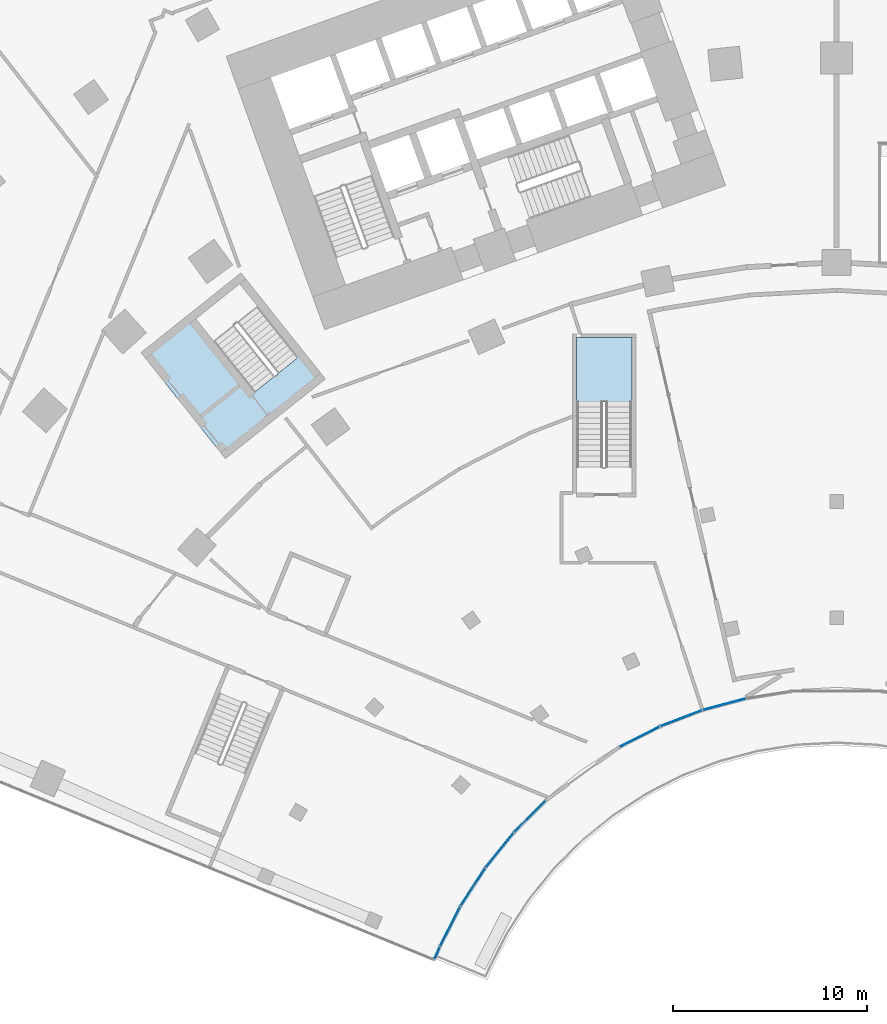
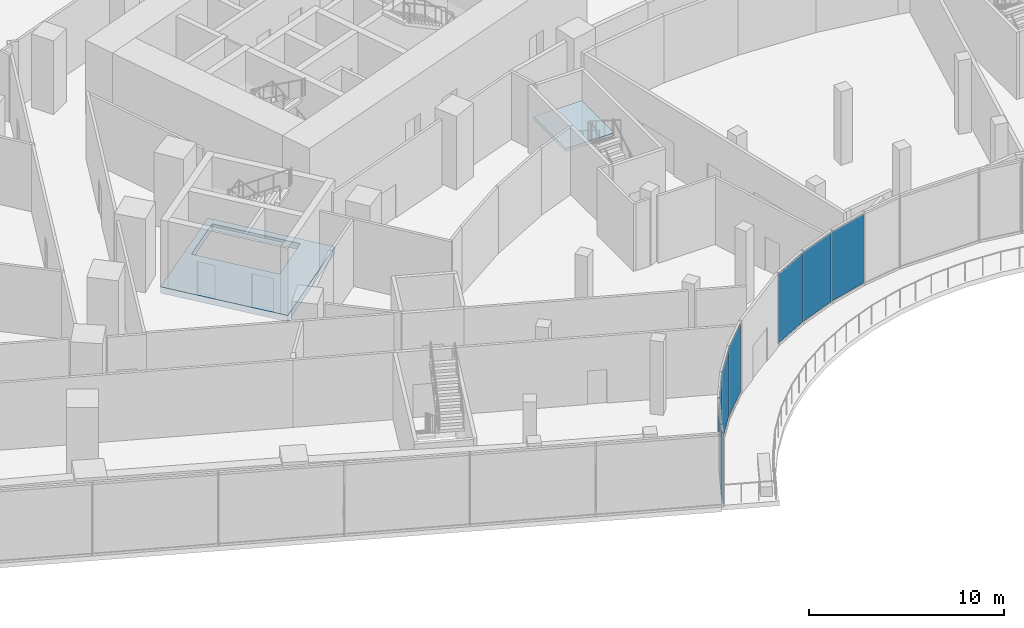
# One storey, part 17 of 40: 8 plates, 2 slabs, 2 elements without a shape of their own.
"""IFC4 building model written with IfcOpenShell, lengths in metres."""

from ifc_helpers import new_model, si_unit, direction, frame, origin, origin_2d, place, context, subcontext, project, spatial, polyline, rectangle, outline, extrude, material, layer, layer_set, type_object, element, aggregate, save


model = new_model("IFC4")

# Units and contexts
model_context = context("Model", 3, precision=1e-05, world=origin(), true_north=direction((0.0, 1.0)))
body_context = subcontext(model_context, "Body", "Model", "MODEL_VIEW")
ifc_project = project(units=[si_unit("LENGTHUNIT", "METRE"), si_unit("AREAUNIT", "SQUARE_METRE"), si_unit("VOLUMEUNIT", "CUBIC_METRE"), si_unit("PLANEANGLEUNIT", "RADIAN"), si_unit("MASSUNIT", "GRAM", prefix="KILO")], contexts=[model_context])

# Site, building, storey
site_placement = place(None, origin())
site = spatial("IfcSite", under=ifc_project, at=site_placement, CompositionType="ELEMENT")
building_placement = place(site_placement, origin())
building = spatial("IfcBuilding", under=site, at=building_placement, Name="Stone Belt Terrace Tower", CompositionType="ELEMENT")
storey_placement = place(building_placement, frame((0.0, 0.0, 11.60009765625)))
storey = spatial("IfcBuildingStorey", under=building, at=storey_placement, Name="L02", CompositionType="ELEMENT", Elevation=11.60009765625)

# Curtain wall, plates
ifc_material_1 = material(Name="Aluminium 6063-T6 anodised frame", Category="aluminium")
ifc_layer_1 = layer(ifc_material_1, 0.14990234375)
ifc_layer_set_1 = layer_set([ifc_layer_1], Name="CW-D podium shopfront")
curtain_wall_type = type_object("IfcCurtainWallType", Name="CW-D podium shopfront", PredefinedType="NOTDEFINED", material=ifc_layer_set_1)
curtain_wall_placement = place(storey_placement, origin())
curtain_wall = element("IfcCurtainWall", 1, at=curtain_wall_placement, inside=storey, type_object=curtain_wall_type, Name="CW-D concave face L02", PredefinedType="NOTDEFINED")
ifc_material_2 = material(Name="Clear double glazed unit")
ifc_layer_2 = layer(ifc_material_2, 0.031982421875)
ifc_layer_set_2 = layer_set([ifc_layer_2], Name="CW-D glass panel 32")
plate_type = type_object("IfcPlateType", Name="CW-D glass panel 32", PredefinedType="CURTAIN_PANEL", material=ifc_layer_set_2)
plate_1_placement = place(storey_placement, frame((-20.624755859375, 8.796630859375, 0.1396484375), z_axis=(0.0, 0.0, 1.0), x_axis=(0.393033792222, 0.919524028056, 0.0)))
plate_1 = element("IfcPlate", 2, at=plate_1_placement, type_object=plate_type, Name="CW-D panel 1.1", PredefinedType="CURTAIN_PANEL", context=body_context, shape_type="SweptSolid", body=[
    extrude(rectangle(XDim=0.6376953125, YDim=0.031982421875, at=origin_2d()), origin(), (0.0, 0.0, 1.0), 4.320068359375),
])
plate_2_placement = place(storey_placement, frame((-19.953857421875, 10.16552734375, 0.1396484375), z_axis=(0.0, 0.0, 1.0), x_axis=(0.45399049974, 0.891006524188, 0.0)))
plate_2 = element("IfcPlate", 3, at=plate_2_placement, type_object=plate_type, Name="CW-D panel 2.1", PredefinedType="CURTAIN_PANEL", context=body_context, shape_type="SweptSolid", body=[
    extrude(rectangle(XDim=2.2822265625, YDim=0.031982421875, at=origin_2d()), origin(), (0.0, 0.0, 1.0), 4.320068359375),
])
plate_3_placement = place(storey_placement, frame((-18.78125, 12.19677734375, 0.1396484375), z_axis=(0.0, 0.0, 1.0), x_axis=(0.544639035015, 0.838670567945, 0.0)))
plate_3 = element("IfcPlate", 4, at=plate_3_placement, type_object=plate_type, Name="CW-D panel 3.1", PredefinedType="CURTAIN_PANEL", context=body_context, shape_type="SweptSolid", body=[
    extrude(rectangle(XDim=2.279541015625, YDim=0.031982421875, at=origin_2d()), origin(), (0.0, 0.0, 1.0), 4.320068359375),
])
plate_4_placement = place(storey_placement, frame((-17.403564453125, 14.093017578125, 0.1396484375), z_axis=(0.0, 0.0, 1.0), x_axis=(0.62932039105, 0.777145961457, 0.0)))
plate_4 = element("IfcPlate", 5, at=plate_4_placement, type_object=plate_type, Name="CW-D panel 4.1", PredefinedType="CURTAIN_PANEL", context=body_context, shape_type="SweptSolid", body=[
    extrude(rectangle(XDim=2.279541015625, YDim=0.031982421875, at=origin_2d()), origin(), (0.0, 0.0, 1.0), 4.320068359375),
])
plate_5_placement = place(storey_placement, frame((-15.83642578125, 15.833740234375, 0.1396484375), z_axis=(0.0, 0.0, 1.0), x_axis=(0.707106781187, 0.707106781187, 0.0)))
plate_5 = element("IfcPlate", 6, at=plate_5_placement, type_object=plate_type, Name="CW-D panel 5.1", PredefinedType="CURTAIN_PANEL", context=body_context, shape_type="SweptSolid", body=[
    extrude(rectangle(XDim=2.275634765625, YDim=0.031982421875, at=origin_2d()), origin(), (0.0, 0.0, 1.0), 4.320068359375),
])
plate_6_placement = place(storey_placement, frame((-10.1650390625, 19.954345703125, 0.1396484375), z_axis=(0.0, 0.0, 1.0), x_axis=(0.891006524188, 0.45399049974, 0.0)))
plate_6 = element("IfcPlate", 7, at=plate_6_placement, type_object=plate_type, Name="CW-D panel 7.1", PredefinedType="CURTAIN_PANEL", context=body_context, shape_type="SweptSolid", body=[
    extrude(rectangle(XDim=2.275634765625, YDim=0.031982421875, at=origin_2d()), origin(), (0.0, 0.0, 1.0), 4.320068359375),
])
plate_7_placement = place(storey_placement, frame((-8.025390625, 20.90673828125, 0.1396484375), z_axis=(0.0, 0.0, 1.0), x_axis=(0.933580426497, 0.358367949545, 0.0)))
plate_7 = element("IfcPlate", 8, at=plate_7_placement, type_object=plate_type, Name="CW-D panel 8.1", PredefinedType="CURTAIN_PANEL", context=body_context, shape_type="SweptSolid", body=[
    extrude(rectangle(XDim=2.279541015625, YDim=0.031982421875, at=origin_2d()), origin(), (0.0, 0.0, 1.0), 4.320068359375),
])
plate_8_placement = place(storey_placement, frame((-5.796142578125, 21.631103515625, 0.1396484375), z_axis=(0.0, 0.0, 1.0), x_axis=(0.965925826289, 0.258819045103, 0.0)))
plate_8 = element("IfcPlate", 9, at=plate_8_placement, type_object=plate_type, Name="CW-D panel 9.1", PredefinedType="CURTAIN_PANEL", context=body_context, shape_type="SweptSolid", body=[
    extrude(rectangle(XDim=2.279541015625, YDim=0.031982421875, at=origin_2d()), origin(), (0.0, 0.0, 1.0), 4.320068359375),
])
aggregate(curtain_wall, [plate_1, plate_2, plate_3, plate_4, plate_5, plate_6, plate_7, plate_8])

# Slab
ifc_material_3 = material(Name="Concrete B40", Category="concrete")
ifc_layer_3 = layer(ifc_material_3, 0.39990234375)
ifc_layer_set_3 = layer_set([ifc_layer_3], Name="Core floor slab 400")
slab_type_1 = type_object("IfcSlabType", Name="Core floor slab 400", PredefinedType="FLOOR", material=ifc_layer_set_3)
slab_1_placement = place(storey_placement, frame((0.0, 0.0, -0.400146484375)))
element("IfcSlab", 10, at=slab_1_placement, inside=storey, type_object=slab_type_1, Name="Exit stair ST3A floor L02", PredefinedType="FLOOR", context=body_context, shape_type="SweptSolid", body=[
    extrude(outline(polyline([(-26.39404296875, 38.425048828125), (-30.756103515625, 43.89990234375), (-35.91796875, 39.787109375), (-31.555908203125, 34.31298828125), (-26.39404296875, 38.425048828125)]), holes=[polyline([(-27.798095703125, 39.544921875), (-30.06591796875, 37.738037109375), (-33.087890625, 41.531005859375), (-30.820068359375, 43.337890625), (-27.798095703125, 39.544921875)])]), origin(), (0.0, 0.0, 1.0), 0.400146484375),
])

# Stair, slab
ifc_material_4 = material(Name="Concrete B30", Category="concrete")
stair_type = type_object("IfcStairType", Name="Podium stair concrete B30", PredefinedType="HALF_TURN_STAIR", material=ifc_material_4)
stair_placement = place(storey_placement, origin())
stair = element("IfcStair", 11, at=stair_placement, inside=storey, type_object=stair_type, Name="L02 podium exit stair 5", PredefinedType="HALF_TURN_STAIR")
ifc_layer_4 = layer(ifc_material_4, 0.199951171875)
ifc_layer_set_4 = layer_set([ifc_layer_4], Name="Podium stair landing concrete B30")
slab_type_2 = type_object("IfcSlabType", Name="Podium stair landing concrete B30", PredefinedType="LANDING", material=ifc_layer_set_4)
slab_2_placement = place(storey_placement, frame((0.0, 0.0, 2.099853515625)))
slab_2 = element("IfcSlab", 12, at=slab_2_placement, type_object=slab_type_2, Name="PS5 landing 1", PredefinedType="LANDING", context=body_context, shape_type="SweptSolid", body=[
    extrude(outline(polyline([(-10.574951171875, 37.2470703125), (-10.574951171875, 40.56005859375), (-13.425048828125, 40.56005859375), (-13.425048828125, 37.2470703125), (-10.574951171875, 37.2470703125)])), origin(), (0.0, 0.0, 1.0), 0.199951171875),
])
aggregate(stair, [slab_2])

save(model, "model.ifc")
